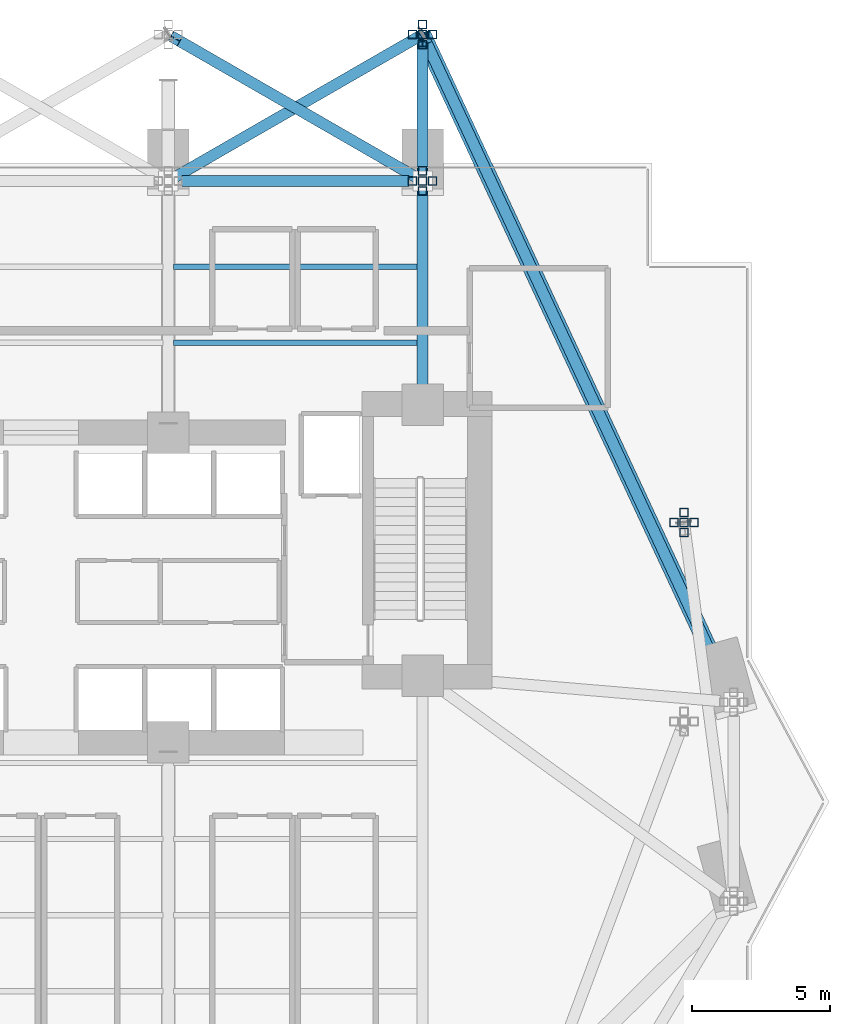
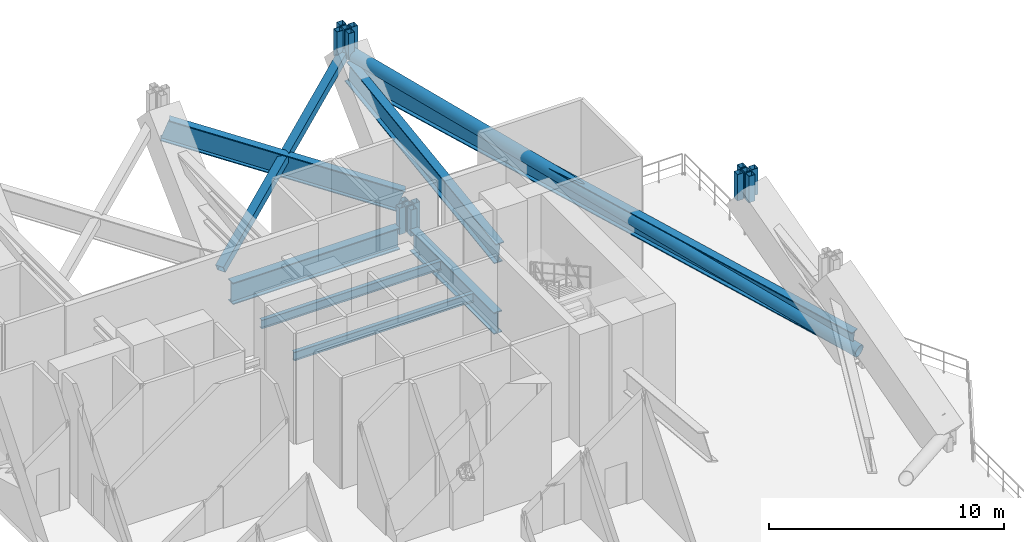
# One storey, part 6 of 21: 17 members, 7 beams.
"""IFC4 building model written with IfcOpenShell, lengths in metres."""

import ifcopenshell
import ifcopenshell.guid

model = None  # the IFC model being written
_history = None  # IfcOwnerHistory: only IFC2X3 demands one
_inside = {}  # id of a spatial element -> (the spatial element, [elements in it])
_under = {}  # id of a project, library or spatial element -> (it, [spatial elements below it])
_declared = {}  # id of a project -> (the project, [libraries it declares])
_typed = {}  # id of a type object -> (the type object, [elements of that type])
_made_of = {}  # id of a material, layer set ... -> (it, [elements and type objects made of it])


def new_model(schema):
    """Start an empty IFC model of exactly this schema.

    Asked for "IFC4X3", IfcOpenShell would pick the latest addendum, in which some entities
    have other attributes; the version numbers below select the first issue.
    IFC2X3 requires an IfcOwnerHistory on every rooted entity: one is made here for all.
    """
    global model, _history
    if schema == "IFC4X3":
        model = ifcopenshell.file(schema_version=(4, 3, 0, 0))
    else:
        model = ifcopenshell.file(schema=schema)
    _inside.clear()
    _under.clear()
    _declared.clear()
    _typed.clear()
    _made_of.clear()
    _history = None
    if model.schema == "IFC2X3":
        org = make("IfcOrganization", Name="unknown")
        user = make(
            "IfcPersonAndOrganization",
            ThePerson=make("IfcPerson", FamilyName="unknown"),
            TheOrganization=org,
        )
        app = make(
            "IfcApplication",
            ApplicationDeveloper=org,
            Version="unknown",
            ApplicationFullName="unknown",
            ApplicationIdentifier="unknown",
        )
        _history = make(
            "IfcOwnerHistory",
            OwningUser=user,
            OwningApplication=app,
            ChangeAction="ADDED",
            CreationDate=0,
        )
    return model


def make(cls, **values):
    """One entity of the class cls with the attributes given. An attribute that is None is left unset."""
    return model.create_entity(
        cls, **{name: value for name, value in values.items() if value is not None}
    )


def rooted(cls, **values):
    """An entity with a GlobalId (a new one), such as an element, a storey or a relation."""
    return make(cls, GlobalId=ifcopenshell.guid.new(), OwnerHistory=_history, **values)


def si_unit(unit_type, name, prefix=None):
    """IfcSIUnit, for example si_unit("LENGTHUNIT", "METRE", prefix="MILLI")."""
    return make("IfcSIUnit", UnitType=unit_type, Prefix=prefix, Name=name)


def assignment(units):
    """IfcUnitAssignment: the units of a project."""
    return None if units is None else make("IfcUnitAssignment", Units=units)


def point(xyz):
    """IfcCartesianPoint."""
    return None if xyz is None else make("IfcCartesianPoint", Coordinates=xyz)


def direction(xyz):
    """IfcDirection."""
    return None if xyz is None else make("IfcDirection", DirectionRatios=xyz)


def frame(location, z_axis=None, x_axis=None):
    """IfcAxis2Placement3D, a coordinate frame: its origin and axes. An axis left out is left unset."""
    return make(
        "IfcAxis2Placement3D",
        Location=point(location),
        Axis=direction(z_axis),
        RefDirection=direction(x_axis),
    )


def frame_2d(location, x_axis=None):
    """IfcAxis2Placement2D, a coordinate frame in the plane: its origin and x axis."""
    return make(
        "IfcAxis2Placement2D", Location=point(location), RefDirection=direction(x_axis)
    )


def origin():
    """The frame at (0, 0, 0) with its axes left unset."""
    return frame((0.0, 0.0, 0.0))


def origin_2d():
    """The frame at (0, 0) in the plane with its x axis left unset."""
    return frame_2d((0.0, 0.0))


def place(relative_to, where):
    """IfcLocalPlacement: puts the frame where relative to a parent placement (None: the world)."""
    return make(
        "IfcLocalPlacement", PlacementRelTo=relative_to, RelativePlacement=where
    )


def context(
    kind, dimensions, precision=None, world=None, true_north=None, identifier=None
):
    """IfcGeometricRepresentationContext, for example the 3D "Model" context."""
    return make(
        "IfcGeometricRepresentationContext",
        ContextIdentifier=identifier,
        ContextType=kind,
        CoordinateSpaceDimension=dimensions,
        Precision=precision,
        WorldCoordinateSystem=world,
        TrueNorth=true_north,
    )


def subcontext(parent, identifier, kind, view, scale=None):
    """IfcGeometricRepresentationSubContext, for example "Body" below "Model"."""
    return make(
        "IfcGeometricRepresentationSubContext",
        ContextIdentifier=identifier,
        ContextType=kind,
        ParentContext=parent,
        TargetScale=scale,
        TargetView=view,
    )


def project(units=None, contexts=None):
    """IfcProject with its units and contexts."""
    return rooted(
        "IfcProject",
        Name="project",
        RepresentationContexts=contexts,
        UnitsInContext=assignment(units),
    )


def spatial(cls, under=None, at=None, **own):
    """A site, building, storey or space (cls), placed at a placement, below another one or the project."""
    s = rooted(cls, ObjectPlacement=at, **own)
    if under is not None:
        _under.setdefault(under.id(), (under, []))[1].append(s)
    return s


def profile(cls, at=None, kind="AREA", **sizes):
    """A parametric profile (cls). Its sizes go by their IFC names, for example OverallWidth=200.0."""
    return make(cls, ProfileType=kind, Position=at, **sizes)


def hollow_rectangle(**sizes):
    """IfcRectangleHollowProfileDef."""
    return profile("IfcRectangleHollowProfileDef", **sizes)


def hollow_circle(**sizes):
    """IfcCircleHollowProfileDef."""
    return profile("IfcCircleHollowProfileDef", **sizes)


def i_section(**sizes):
    """IfcIShapeProfileDef."""
    return profile("IfcIShapeProfileDef", **sizes)


def extrude(swept, where, along, depth):
    """IfcExtrudedAreaSolid: the profile swept, set in the frame where, extruded along a direction by depth."""
    return make(
        "IfcExtrudedAreaSolid",
        SweptArea=swept,
        Position=where,
        ExtrudedDirection=direction(along),
        Depth=depth,
    )


def shape(context_of_items, identifier, shape_type, items):
    """IfcShapeRepresentation: the items that make up one representation, for example the "Body"."""
    return make(
        "IfcShapeRepresentation",
        ContextOfItems=context_of_items,
        RepresentationIdentifier=identifier,
        RepresentationType=shape_type,
        Items=items,
    )


def material(Name=None, Category=None):
    """IfcMaterial."""
    return make("IfcMaterial", Name=Name, Category=Category)


def material_profile(
    of_material, cross_section, Name=None, Category=None, Priority=None
):
    """IfcMaterialProfile: a cross section and its material."""
    return make(
        "IfcMaterialProfile",
        Name=Name,
        Material=of_material,
        Profile=cross_section,
        Priority=Priority,
        Category=Category,
    )


def profile_set(profiles, Name=None, composite=None):
    """IfcMaterialProfileSet."""
    return make(
        "IfcMaterialProfileSet",
        Name=Name,
        MaterialProfiles=profiles,
        CompositeProfile=composite,
    )


def made_of(thing, what):
    """Note that an element or type object is made of a material, layer set ...; save() writes the relation."""
    if what is not None:
        _made_of.setdefault(what.id(), (what, []))[1].append(thing)
    return thing


def type_object(cls, material=None, **own):
    """A type object (cls), such as IfcWallType, which elements share."""
    return made_of(rooted(cls, **own), material)


def element(
    cls,
    number,
    at=None,
    inside=None,
    cuts=None,
    type_object=None,
    material=None,
    context=None,
    identifier="Body",
    shape_type=None,
    held_by="IfcProductDefinitionShape",
    body=None,
    shapes=None,
    **own,
):
    """One element of the class cls, such as IfcWall. Its Tag is "e" and its number.

    at: its placement. inside: the storey or other place that contains it. cuts: it is an
    opening in that element (IfcRelVoidsElement). A single representation is given by context,
    identifier, shape_type and body (its items); several are given by shapes. held_by: the class
    of the entity that holds the representations. save() writes the other relations.
    """
    e = rooted(cls, Tag="e%d" % number, ObjectPlacement=at, **own)
    if body is not None:
        shapes = [shape(context, identifier, shape_type, body)]
    if shapes is not None:
        e.Representation = make(held_by, Representations=shapes)
    if inside is not None:
        _inside.setdefault(inside.id(), (inside, []))[1].append(e)
    if cuts is not None:
        rooted(
            "IfcRelVoidsElement", RelatingBuildingElement=cuts, RelatedOpeningElement=e
        )
    if type_object is not None:
        _typed.setdefault(type_object.id(), (type_object, []))[1].append(e)
    return made_of(e, material)


def aggregate(whole, parts):
    """IfcRelAggregates: a whole, such as a stair, and the parts it consists of."""
    return rooted("IfcRelAggregates", RelatingObject=whole, RelatedObjects=parts)


def save(model, path):
    """Write the relations noted so far, then the file.

    IfcRelAggregates (storeys below a building ...), IfcRelContainedInSpatialStructure (elements
    in a storey), IfcRelDefinesByType, IfcRelAssociatesMaterial and IfcRelDeclares: one each for
    every whole, place, type object, material and project.
    """
    for whole, parts in _under.values():
        aggregate(whole, parts)
    for where, things in _inside.values():
        rooted(
            "IfcRelContainedInSpatialStructure",
            RelatedElements=things,
            RelatingStructure=where,
        )
    for kind, things in _typed.values():
        rooted("IfcRelDefinesByType", RelatedObjects=things, RelatingType=kind)
    for what, things in _made_of.values():
        rooted("IfcRelAssociatesMaterial", RelatedObjects=things, RelatingMaterial=what)
    for by, libraries in _declared.values():
        rooted("IfcRelDeclares", RelatingContext=by, RelatedDefinitions=libraries)
    model.write(path)


model = new_model("IFC4")

# Units and contexts
model_context = context("Model", 3, precision=1e-05, world=origin(), true_north=direction((0.0, 1.0)))
body_context = subcontext(model_context, "Body", "Model", "MODEL_VIEW")
ifc_project = project(units=[si_unit("LENGTHUNIT", "METRE"), si_unit("AREAUNIT", "SQUARE_METRE"), si_unit("VOLUMEUNIT", "CUBIC_METRE"), si_unit("PLANEANGLEUNIT", "RADIAN"), si_unit("MASSUNIT", "GRAM", prefix="KILO")], contexts=[model_context])

# Site, building, storey
site_placement = place(None, origin())
site = spatial("IfcSite", under=ifc_project, at=site_placement, CompositionType="ELEMENT")
building_placement = place(site_placement, origin())
building = spatial("IfcBuilding", under=site, at=building_placement, Name="Zuhayl Quay Hotel", CompositionType="ELEMENT")
storey_placement = place(building_placement, frame((0.0, 0.0, 89.64990234375)))
storey = spatial("IfcBuildingStorey", under=building, at=storey_placement, Name="L22", CompositionType="ELEMENT", Elevation=89.64990234375)

# Beams
ifc_material_1 = material(Name="Steel ASTM A992 Grade 50", Category="steel")
ifc_material_profile_1 = material_profile(ifc_material_1, i_section(OverallWidth=0.18994140625, OverallDepth=0.45703125, WebThickness=0.009033203125, FlangeThickness=0.014404296875, at=origin_2d()), Name="W18X50")
ifc_profile_set_1 = profile_set([ifc_material_profile_1], Name="Steel ASTM A992 Grade 50")
beam_type_1 = type_object("IfcBeamType", Name="BM_J2_W18X50", PredefinedType="JOIST", material=ifc_profile_set_1)
for number, where, z_axis, x_axis, name in (
    (1, (4.7939453125, 16.60009765625, -0.48828125), (1.0, 0.0, 0.0), (0.0, 1.0, 0.0), "L22 Floor Beam FJ_L22_1_3"),
    (2, (4.7939453125, 19.35009765625, -0.48828125), (1.0, 0.0, 0.0), (0.0, 1.0, 0.0), "L22 Floor Beam FJ_L22_2_3"),
):
    element("IfcBeam", number, at=place(storey_placement, frame(where, z_axis=z_axis, x_axis=x_axis)), inside=storey, type_object=beam_type_1, Name=name, PredefinedType="JOIST", context=body_context, shape_type="SweptSolid", body=[
        extrude(i_section(OverallWidth=0.18994140625, OverallDepth=0.45703125, WebThickness=0.009033203125, FlangeThickness=0.014404296875, at=origin_2d()), origin(), (0.0, 0.0, 1.0), 8.81201171875),
    ])
ifc_material_2 = material(Name="Steel ASTM A913 Grade 65", Category="steel")
ifc_material_profile_2 = material_profile(ifc_material_2, i_section(OverallWidth=0.404052734375, OverallDepth=1.117919921875, WebThickness=0.026123046875, FlangeThickness=0.044921875, at=origin_2d()), Name="W44X335")
ifc_profile_set_2 = profile_set([ifc_material_profile_2], Name="Steel ASTM A913 Grade 65")
beam_type_2 = type_object("IfcBeamType", Name="BM_TG1_W44X335", PredefinedType="BEAM", material=ifc_profile_set_2)
beam_1_placement = place(storey_placement, frame((13.300048828125, 22.449951171875, -0.81884765625), z_axis=(-1.0, 0.0, 0.0), x_axis=(0.0, -1.0, 0.0)))
element("IfcBeam", 3, at=beam_1_placement, inside=storey, type_object=beam_type_2, Name="L22 Floor Beam RG_L22_07", PredefinedType="BEAM", context=body_context, shape_type="SweptSolid", body=[
    extrude(i_section(OverallWidth=0.404052734375, OverallDepth=1.117919921875, WebThickness=0.026123046875, FlangeThickness=0.044921875, at=origin_2d()), origin(), (0.0, 0.0, 1.0), 8.199951171875),
])
beam_2_placement = place(storey_placement, frame((24.92333984375, 3.871826171875, 0.9501953125), z_axis=(-0.418134326506, 0.897602818796, 0.139545206608), x_axis=(-0.906472011624, -0.422265902179, 0.0)))
element("IfcBeam", 4, at=beam_2_placement, inside=storey, type_object=beam_type_2, Name="L22 Wind-Floor Inclined Belt Girder 06", PredefinedType="BEAM", context=body_context, shape_type="SweptSolid", body=[
    extrude(i_section(OverallWidth=0.404052734375, OverallDepth=1.117919921875, WebThickness=0.026123046875, FlangeThickness=0.044921875, at=origin_2d()), origin(), (0.0, 0.0, 1.0), 26.299072265625),
])
beam_3_placement = place(storey_placement, frame((13.5400390625, 22.599853515625, 0.9501953125), z_axis=(-0.813629041564, 0.468693716608, 0.343997067919), x_axis=(-0.499156901803, -0.866511619877, 0.0)))
element("IfcBeam", 5, at=beam_3_placement, inside=storey, type_object=beam_type_2, Name="L22 Wind-Floor Inclined Belt Girder 07", PredefinedType="BEAM", context=body_context, shape_type="SweptSolid", body=[
    extrude(i_section(OverallWidth=0.404052734375, OverallDepth=1.117919921875, WebThickness=0.026123046875, FlangeThickness=0.044921875, at=origin_2d()), origin(), (0.0, 0.0, 1.0), 10.66845703125),
])
beam_4_placement = place(storey_placement, frame((13.800048828125, 14.699951171875, 2.85009765625), z_axis=(0.0, 0.990426942555, 0.138037934861), x_axis=(-1.0, 0.0, 0.0)))
element("IfcBeam", 6, at=beam_4_placement, inside=storey, type_object=beam_type_2, Name="L22 Wind-Floor Inclined Outrigger Girder 2", PredefinedType="BEAM", context=body_context, shape_type="SweptSolid", body=[
    extrude(i_section(OverallWidth=0.404052734375, OverallDepth=1.117919921875, WebThickness=0.026123046875, FlangeThickness=0.044921875, at=origin_2d()), origin(), (0.0, 0.0, 1.0), 12.82275390625),
])
beam_5_placement = place(storey_placement, frame((13.800048828125, 14.800048828125, -0.81884765625), z_axis=(0.0, 1.0, 0.0), x_axis=(-1.0, 0.0, 0.0)))
element("IfcBeam", 7, at=beam_5_placement, inside=storey, type_object=beam_type_2, Name="L22 Floor Beam FG_N_L22_4", PredefinedType="BEAM", context=body_context, shape_type="SweptSolid", body=[
    extrude(i_section(OverallWidth=0.404052734375, OverallDepth=1.117919921875, WebThickness=0.026123046875, FlangeThickness=0.044921875, at=origin_2d()), origin(), (0.0, 0.0, 1.0), 7.14990234375),
])

# Members
ifc_material_3 = material(Name="Steel ASTM A500 Grade C", Category="steel")
ifc_material_profile_3 = material_profile(ifc_material_3, hollow_rectangle(XDim=0.39990234375, YDim=0.39990234375, WallThickness=0.01611328125, at=origin_2d()), Name="HSS400X400X16")
ifc_profile_set_3 = profile_set([ifc_material_profile_3], Name="Steel ASTM A500 Grade C")
member_type_1 = type_object("IfcMemberType", Name="MB_BT_DIAG_HSS400", PredefinedType="BRACE", material=ifc_profile_set_3)
member_1_placement = place(storey_placement, frame((4.60009765625, 22.449951171875, 0.550048828125), z_axis=(0.786748746556, 0.453242272085, 0.419043974528), x_axis=(-0.499184223036, 0.866495880817, 0.0)))
element("IfcMember", 8, at=member_1_placement, inside=storey, type_object=member_type_1, Name="L22 Belt Truss BT1 Diagonal N34", PredefinedType="BRACE", context=body_context, shape_type="SweptSolid", body=[
    extrude(hollow_rectangle(XDim=0.39990234375, YDim=0.39990234375, WallThickness=0.01611328125, at=origin_2d()), origin(), (0.0, 0.0, 1.0), 11.693603515625),
])
ifc_material_profile_4 = material_profile(ifc_material_3, hollow_rectangle(XDim=0.300048828125, YDim=0.300048828125, WallThickness=0.012451171875, at=origin_2d()), Name="HSS300X300X12")
ifc_profile_set_4 = profile_set([ifc_material_profile_4], Name="Steel ASTM A500 Grade C")
member_type_2 = type_object("IfcMemberType", Name="MB_CR_BRACE_HSS300", PredefinedType="BRACE", material=ifc_profile_set_4)
for number, where, z_axis, x_axis, name in (
    (9, (13.800048828125, 22.449951171875, -0.64990234375), (0.0, 0.0, 1.0), (1.0, 0.0, 0.0), "L22 Mega-Column Lower Knuckle Leg MC_N4-1"),
    (10, (13.800048828125, 27.75, 5.280029296875), (0.0, 0.0, 1.0), (1.0, 0.0, 0.0), "L22 Mega-Column Upper Knuckle Leg MC_N4-1"),
    (11, (13.800048828125, 22.81005859375, -0.64990234375), (0.0, 0.0, 1.0), (1.0, 0.0, 0.0), "L22 Mega-Column Lower Knuckle Leg MC_N4-2"),
    (12, (13.800048828125, 28.110107421875, 5.280029296875), (0.0, 0.0, 1.0), (1.0, 0.0, 0.0), "L22 Mega-Column Upper Knuckle Leg MC_N4-2"),
    (13, (13.800048828125, 22.090087890625, -0.64990234375), (0.0, 0.0, 1.0), (1.0, 0.0, 0.0), "L22 Mega-Column Lower Knuckle Leg MC_N4-3"),
    (14, (13.800048828125, 27.389892578125, 5.280029296875), (0.0, 0.0, 1.0), (1.0, 0.0, 0.0), "L22 Mega-Column Upper Knuckle Leg MC_N4-3"),
    (15, (14.159912109375, 22.449951171875, -0.64990234375), (0.0, 0.0, 1.0), (1.0, 0.0, 0.0), "L22 Mega-Column Lower Knuckle Leg MC_N4-4"),
    (16, (14.159912109375, 27.75, 5.280029296875), (0.0, 0.0, 1.0), (1.0, 0.0, 0.0), "L22 Mega-Column Upper Knuckle Leg MC_N4-4"),
    (17, (13.43994140625, 22.449951171875, -0.64990234375), (0.0, 0.0, 1.0), (1.0, 0.0, 0.0), "L22 Mega-Column Lower Knuckle Leg MC_N4-5"),
    (18, (13.43994140625, 27.75, 5.280029296875), (0.0, 0.0, 1.0), (1.0, 0.0, 0.0), "L22 Mega-Column Upper Knuckle Leg MC_N4-5"),
    (19, (23.25, 10.10009765625, 5.280029296875), (0.0, 0.0, 1.0), (1.0, 0.0, 0.0), "L22 Mega-Column Upper Knuckle Leg MC_E2-1"),
    (20, (23.25, 10.4599609375, 5.280029296875), (0.0, 0.0, 1.0), (1.0, 0.0, 0.0), "L22 Mega-Column Upper Knuckle Leg MC_E2-2"),
    (21, (23.25, 9.739990234375, 5.280029296875), (0.0, 0.0, 1.0), (1.0, 0.0, 0.0), "L22 Mega-Column Upper Knuckle Leg MC_E2-3"),
    (22, (23.610107421875, 10.10009765625, 5.280029296875), (0.0, 0.0, 1.0), (1.0, 0.0, 0.0), "L22 Mega-Column Upper Knuckle Leg MC_E2-4"),
    (23, (22.889892578125, 10.10009765625, 5.280029296875), (0.0, 0.0, 1.0), (1.0, 0.0, 0.0), "L22 Mega-Column Upper Knuckle Leg MC_E2-5"),
):
    element("IfcMember", number, at=place(storey_placement, frame(where, z_axis=z_axis, x_axis=x_axis)), inside=storey, type_object=member_type_2, Name=name, PredefinedType="STRUT", context=body_context, shape_type="SweptSolid", body=[
        extrude(hollow_rectangle(XDim=0.300048828125, YDim=0.300048828125, WallThickness=0.012451171875, at=origin_2d()), origin(), (0.0, 0.0, 1.0), 1.3701171875),
    ])
ifc_material_profile_5 = material_profile(ifc_material_3, hollow_circle(Radius=0.304931640625, WallThickness=0.02001953125, at=origin_2d()), Name="CHS610X20")
ifc_profile_set_5 = profile_set([ifc_material_profile_5], Name="Steel ASTM A500 Grade C")
member_type_3 = type_object("IfcMemberType", Name="MB_ST_CHS610", PredefinedType="STRUT", material=ifc_profile_set_5)
member_2_placement = place(storey_placement, frame((25.050048828125, 3.60009765625, 0.550048828125), z_axis=(-0.415304005074, 0.891515659155, 0.180893374259), x_axis=(-0.906469953831, -0.422270319583, 0.0)))
element("IfcMember", 24, at=member_2_placement, inside=storey, type_object=member_type_3, Name="L22 Wind-Floor Corner Mega-Strut NE", PredefinedType="STRUT", context=body_context, shape_type="SweptSolid", body=[
    extrude(hollow_circle(Radius=0.304931640625, WallThickness=0.02001953125, at=origin_2d()), origin(), (0.0, 0.0, 1.0), 27.088623046875),
])

save(model, "model.ifc")
